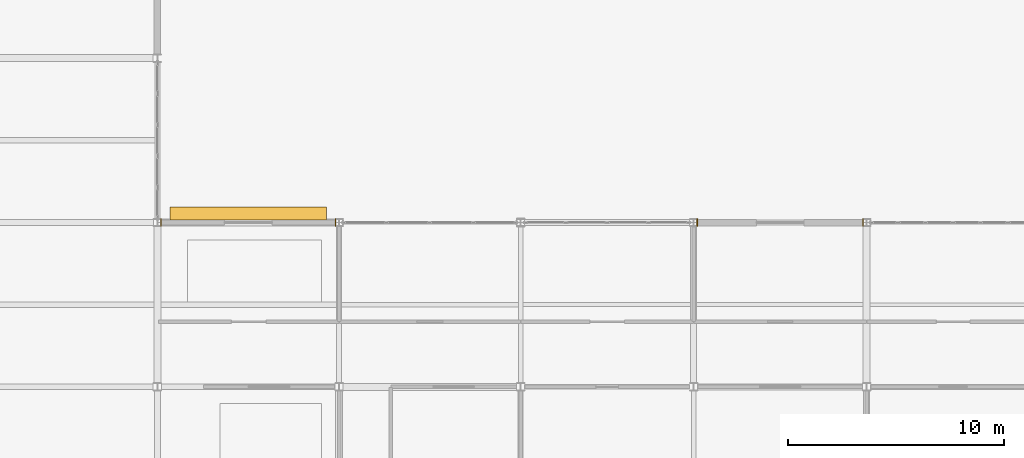
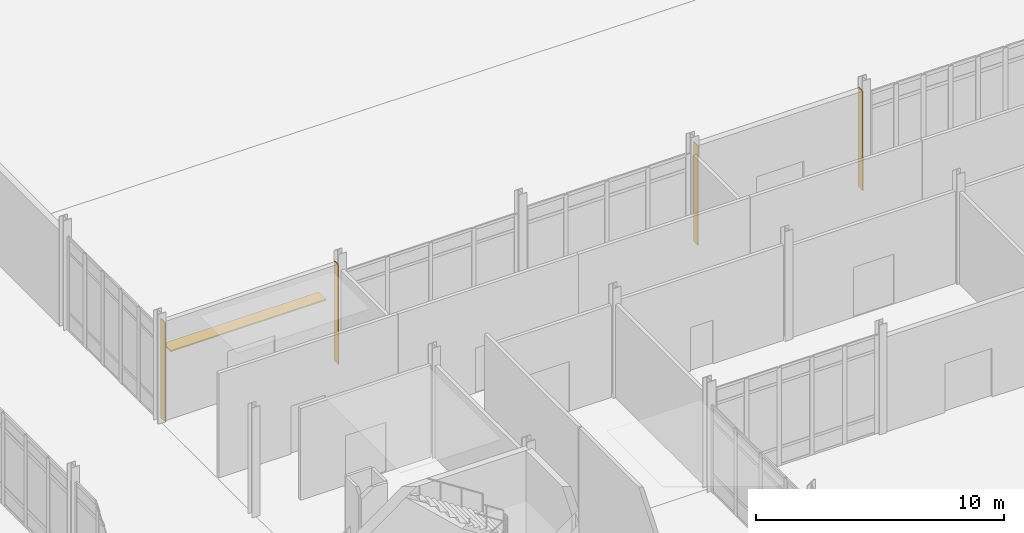
# One storey, part 219 of 229: 4 coverings, 1 shading device.
"""IFC4 building model written with IfcOpenShell, lengths in metres."""

import ifcopenshell
import ifcopenshell.guid

model = None  # the IFC model being written
_history = None  # IfcOwnerHistory: only IFC2X3 demands one
_inside = {}  # id of a spatial element -> (the spatial element, [elements in it])
_under = {}  # id of a project, library or spatial element -> (it, [spatial elements below it])
_declared = {}  # id of a project -> (the project, [libraries it declares])
_typed = {}  # id of a type object -> (the type object, [elements of that type])
_made_of = {}  # id of a material, layer set ... -> (it, [elements and type objects made of it])


def new_model(schema):
    """Start an empty IFC model of exactly this schema.

    Asked for "IFC4X3", IfcOpenShell would pick the latest addendum, in which some entities
    have other attributes; the version numbers below select the first issue.
    IFC2X3 requires an IfcOwnerHistory on every rooted entity: one is made here for all.
    """
    global model, _history
    if schema == "IFC4X3":
        model = ifcopenshell.file(schema_version=(4, 3, 0, 0))
    else:
        model = ifcopenshell.file(schema=schema)
    _inside.clear()
    _under.clear()
    _declared.clear()
    _typed.clear()
    _made_of.clear()
    _history = None
    if model.schema == "IFC2X3":
        org = make("IfcOrganization", Name="unknown")
        user = make(
            "IfcPersonAndOrganization",
            ThePerson=make("IfcPerson", FamilyName="unknown"),
            TheOrganization=org,
        )
        app = make(
            "IfcApplication",
            ApplicationDeveloper=org,
            Version="unknown",
            ApplicationFullName="unknown",
            ApplicationIdentifier="unknown",
        )
        _history = make(
            "IfcOwnerHistory",
            OwningUser=user,
            OwningApplication=app,
            ChangeAction="ADDED",
            CreationDate=0,
        )
    return model


def make(cls, **values):
    """One entity of the class cls with the attributes given. An attribute that is None is left unset."""
    return model.create_entity(
        cls, **{name: value for name, value in values.items() if value is not None}
    )


def rooted(cls, **values):
    """An entity with a GlobalId (a new one), such as an element, a storey or a relation."""
    return make(cls, GlobalId=ifcopenshell.guid.new(), OwnerHistory=_history, **values)


def si_unit(unit_type, name, prefix=None):
    """IfcSIUnit, for example si_unit("LENGTHUNIT", "METRE", prefix="MILLI")."""
    return make("IfcSIUnit", UnitType=unit_type, Prefix=prefix, Name=name)


def assignment(units):
    """IfcUnitAssignment: the units of a project."""
    return None if units is None else make("IfcUnitAssignment", Units=units)


def point(xyz):
    """IfcCartesianPoint."""
    return None if xyz is None else make("IfcCartesianPoint", Coordinates=xyz)


def direction(xyz):
    """IfcDirection."""
    return None if xyz is None else make("IfcDirection", DirectionRatios=xyz)


def frame(location, z_axis=None, x_axis=None):
    """IfcAxis2Placement3D, a coordinate frame: its origin and axes. An axis left out is left unset."""
    return make(
        "IfcAxis2Placement3D",
        Location=point(location),
        Axis=direction(z_axis),
        RefDirection=direction(x_axis),
    )


def frame_2d(location, x_axis=None):
    """IfcAxis2Placement2D, a coordinate frame in the plane: its origin and x axis."""
    return make(
        "IfcAxis2Placement2D", Location=point(location), RefDirection=direction(x_axis)
    )


def origin():
    """The frame at (0, 0, 0) with its axes left unset."""
    return frame((0.0, 0.0, 0.0))


def origin_2d():
    """The frame at (0, 0) in the plane with its x axis left unset."""
    return frame_2d((0.0, 0.0))


def place(relative_to, where):
    """IfcLocalPlacement: puts the frame where relative to a parent placement (None: the world)."""
    return make(
        "IfcLocalPlacement", PlacementRelTo=relative_to, RelativePlacement=where
    )


def context(
    kind, dimensions, precision=None, world=None, true_north=None, identifier=None
):
    """IfcGeometricRepresentationContext, for example the 3D "Model" context."""
    return make(
        "IfcGeometricRepresentationContext",
        ContextIdentifier=identifier,
        ContextType=kind,
        CoordinateSpaceDimension=dimensions,
        Precision=precision,
        WorldCoordinateSystem=world,
        TrueNorth=true_north,
    )


def subcontext(parent, identifier, kind, view, scale=None):
    """IfcGeometricRepresentationSubContext, for example "Body" below "Model"."""
    return make(
        "IfcGeometricRepresentationSubContext",
        ContextIdentifier=identifier,
        ContextType=kind,
        ParentContext=parent,
        TargetScale=scale,
        TargetView=view,
    )


def project(units=None, contexts=None):
    """IfcProject with its units and contexts."""
    return rooted(
        "IfcProject",
        Name="project",
        RepresentationContexts=contexts,
        UnitsInContext=assignment(units),
    )


def spatial(cls, under=None, at=None, **own):
    """A site, building, storey or space (cls), placed at a placement, below another one or the project."""
    s = rooted(cls, ObjectPlacement=at, **own)
    if under is not None:
        _under.setdefault(under.id(), (under, []))[1].append(s)
    return s


def polyline(points):
    """IfcPolyline through the points."""
    return make("IfcPolyline", Points=[point(p) for p in points])


def profile(cls, at=None, kind="AREA", **sizes):
    """A parametric profile (cls). Its sizes go by their IFC names, for example OverallWidth=200.0."""
    return make(cls, ProfileType=kind, Position=at, **sizes)


def rectangle(**sizes):
    """IfcRectangleProfileDef."""
    return profile("IfcRectangleProfileDef", **sizes)


def outline(outer, holes=None, kind="AREA"):
    """IfcArbitraryClosedProfileDef: a profile drawn as a closed curve; with holes, ...WithVoids."""
    if holes is None:
        return make("IfcArbitraryClosedProfileDef", ProfileType=kind, OuterCurve=outer)
    return make(
        "IfcArbitraryProfileDefWithVoids",
        ProfileType=kind,
        OuterCurve=outer,
        InnerCurves=holes,
    )


def extrude(swept, where, along, depth):
    """IfcExtrudedAreaSolid: the profile swept, set in the frame where, extruded along a direction by depth."""
    return make(
        "IfcExtrudedAreaSolid",
        SweptArea=swept,
        Position=where,
        ExtrudedDirection=direction(along),
        Depth=depth,
    )


def shape(context_of_items, identifier, shape_type, items):
    """IfcShapeRepresentation: the items that make up one representation, for example the "Body"."""
    return make(
        "IfcShapeRepresentation",
        ContextOfItems=context_of_items,
        RepresentationIdentifier=identifier,
        RepresentationType=shape_type,
        Items=items,
    )


def material(Name=None, Category=None):
    """IfcMaterial."""
    return make("IfcMaterial", Name=Name, Category=Category)


def layer(
    of_material, thickness, ventilated=None, Name=None, Category=None, Priority=None
):
    """IfcMaterialLayer: one layer of a wall or slab, of a material (None: an air gap)."""
    return make(
        "IfcMaterialLayer",
        Material=of_material,
        LayerThickness=thickness,
        IsVentilated=ventilated,
        Name=Name,
        Category=Category,
        Priority=Priority,
    )


def layer_set(layers, Name=None):
    """IfcMaterialLayerSet."""
    return make("IfcMaterialLayerSet", MaterialLayers=layers, LayerSetName=Name)


def made_of(thing, what):
    """Note that an element or type object is made of a material, layer set ...; save() writes the relation."""
    if what is not None:
        _made_of.setdefault(what.id(), (what, []))[1].append(thing)
    return thing


def type_object(cls, material=None, **own):
    """A type object (cls), such as IfcWallType, which elements share."""
    return made_of(rooted(cls, **own), material)


def element(
    cls,
    number,
    at=None,
    inside=None,
    cuts=None,
    type_object=None,
    material=None,
    context=None,
    identifier="Body",
    shape_type=None,
    held_by="IfcProductDefinitionShape",
    body=None,
    shapes=None,
    **own,
):
    """One element of the class cls, such as IfcWall. Its Tag is "e" and its number.

    at: its placement. inside: the storey or other place that contains it. cuts: it is an
    opening in that element (IfcRelVoidsElement). A single representation is given by context,
    identifier, shape_type and body (its items); several are given by shapes. held_by: the class
    of the entity that holds the representations. save() writes the other relations.
    """
    e = rooted(cls, Tag="e%d" % number, ObjectPlacement=at, **own)
    if body is not None:
        shapes = [shape(context, identifier, shape_type, body)]
    if shapes is not None:
        e.Representation = make(held_by, Representations=shapes)
    if inside is not None:
        _inside.setdefault(inside.id(), (inside, []))[1].append(e)
    if cuts is not None:
        rooted(
            "IfcRelVoidsElement", RelatingBuildingElement=cuts, RelatedOpeningElement=e
        )
    if type_object is not None:
        _typed.setdefault(type_object.id(), (type_object, []))[1].append(e)
    return made_of(e, material)


def aggregate(whole, parts):
    """IfcRelAggregates: a whole, such as a stair, and the parts it consists of."""
    return rooted("IfcRelAggregates", RelatingObject=whole, RelatedObjects=parts)


def save(model, path):
    """Write the relations noted so far, then the file.

    IfcRelAggregates (storeys below a building ...), IfcRelContainedInSpatialStructure (elements
    in a storey), IfcRelDefinesByType, IfcRelAssociatesMaterial and IfcRelDeclares: one each for
    every whole, place, type object, material and project.
    """
    for whole, parts in _under.values():
        aggregate(whole, parts)
    for where, things in _inside.values():
        rooted(
            "IfcRelContainedInSpatialStructure",
            RelatedElements=things,
            RelatingStructure=where,
        )
    for kind, things in _typed.values():
        rooted("IfcRelDefinesByType", RelatedObjects=things, RelatingType=kind)
    for what, things in _made_of.values():
        rooted("IfcRelAssociatesMaterial", RelatedObjects=things, RelatingMaterial=what)
    for by, libraries in _declared.values():
        rooted("IfcRelDeclares", RelatingContext=by, RelatedDefinitions=libraries)
    model.write(path)


model = new_model("IFC4")

# Units and contexts
model_context = context("Model", 3, precision=1e-05, world=origin(), true_north=direction((0.0, 1.0)))
body_context = subcontext(model_context, "Body", "Model", "MODEL_VIEW")
ifc_project = project(units=[si_unit("LENGTHUNIT", "METRE"), si_unit("AREAUNIT", "SQUARE_METRE"), si_unit("VOLUMEUNIT", "CUBIC_METRE"), si_unit("PLANEANGLEUNIT", "RADIAN"), si_unit("MASSUNIT", "GRAM", prefix="KILO")], contexts=[model_context])

# Site, building, storey
site_placement = place(None, origin())
site = spatial("IfcSite", under=ifc_project, at=site_placement, CompositionType="ELEMENT")
building_placement = place(site_placement, origin())
building = spatial("IfcBuilding", under=site, at=building_placement, Name="Calvrana Isthmian Art Gallery", CompositionType="ELEMENT")
storey_placement = place(building_placement, origin())
storey = spatial("IfcBuildingStorey", under=building, at=storey_placement, Name="L00", CompositionType="ELEMENT", Elevation=0.0)

# Coverings
ifc_material_1 = material(Name="Polychrome glazed terracotta", Category="masonry")
ifc_layer_1 = layer(ifc_material_1, 0.0400390625, Name="Polychrome glazed terracotta")
ifc_layer_set_1 = layer_set([ifc_layer_1], Name="Polychrome glazed terracotta")
covering_type = type_object("IfcCoveringType", Name="COV-CLAD-TERRA", PredefinedType="CLADDING", material=ifc_layer_set_1)
covering_1_placement = place(storey_placement, origin())
element("IfcCovering", 1, at=covering_1_placement, inside=storey, type_object=covering_type, Name="Column pocket weather closure L00-08-08-W", PredefinedType="CLADDING", context=body_context, shape_type="SweptSolid", body=[
    extrude(outline(polyline([(63.74560546875, 61.823486328125), (63.785400390625, 61.823486328125), (63.785400390625, 62.176513671875), (63.74560546875, 62.176513671875), (63.74560546875, 61.823486328125)])), origin(), (0.0, 0.0, 1.0), 4.885986328125),
])
covering_2_placement = place(storey_placement, origin())
element("IfcCovering", 2, at=covering_2_placement, inside=storey, type_object=covering_type, Name="Column pocket weather closure L00-08-08-E", PredefinedType="CLADDING", context=body_context, shape_type="SweptSolid", body=[
    extrude(outline(polyline([(71.81591796875, 61.826904296875), (71.85595703125, 61.826904296875), (71.85595703125, 62.173095703125), (71.81591796875, 62.173095703125), (71.81591796875, 61.826904296875)])), origin(), (0.0, 0.0, 1.0), 4.885986328125),
])
covering_3_placement = place(storey_placement, origin())
element("IfcCovering", 3, at=covering_3_placement, inside=storey, type_object=covering_type, Name="Column pocket weather closure L00-11-08-W", PredefinedType="CLADDING", context=body_context, shape_type="SweptSolid", body=[
    extrude(outline(polyline([(88.54638671875, 61.821044921875), (88.58642578125, 61.821044921875), (88.58642578125, 62.178955078125), (88.54638671875, 62.178955078125), (88.54638671875, 61.821044921875)])), origin(), (0.0, 0.0, 1.0), 4.885986328125),
])
covering_4_placement = place(storey_placement, origin())
element("IfcCovering", 4, at=covering_4_placement, inside=storey, type_object=covering_type, Name="Column pocket weather closure L00-11-08-E", PredefinedType="CLADDING", context=body_context, shape_type="SweptSolid", body=[
    extrude(outline(polyline([(96.214599609375, 61.823486328125), (96.25439453125, 61.823486328125), (96.25439453125, 62.176513671875), (96.214599609375, 62.176513671875), (96.214599609375, 61.823486328125)])), origin(), (0.0, 0.0, 1.0), 4.885986328125),
])

# Shading device
ifc_material_2 = material(Name="Anodized bronze aluminium 6063-T6", Category="aluminium")
ifc_layer_2 = layer(ifc_material_2, 0.06005859375, Name="Anodized bronze aluminium 6063-T6")
ifc_layer_set_2 = layer_set([ifc_layer_2], Name="Anodized bronze aluminium 6063-T6")
shading_device_type = type_object("IfcShadingDeviceType", Name="SHD-LOUVRE-600", PredefinedType="JALOUSIE", material=ifc_layer_set_2)
shading_device_placement = place(storey_placement, frame((67.80078125, 62.407958984375, 3.119873046875), z_axis=(0.0, 0.0, 1.0), x_axis=(1.0, 0.0, 0.0)))
element("IfcShadingDevice", 5, at=shading_device_placement, inside=storey, type_object=shading_device_type, Name="Anodized bronze horizontal canopy sunshade LV-03", PredefinedType="JALOUSIE", context=body_context, shape_type="SweptSolid", body=[
    extrude(rectangle(XDim=7.23046875, YDim=0.60009765625, at=origin_2d()), origin(), (0.0, 0.0, 1.0), 0.06005859375),
])

save(model, "model.ifc")
